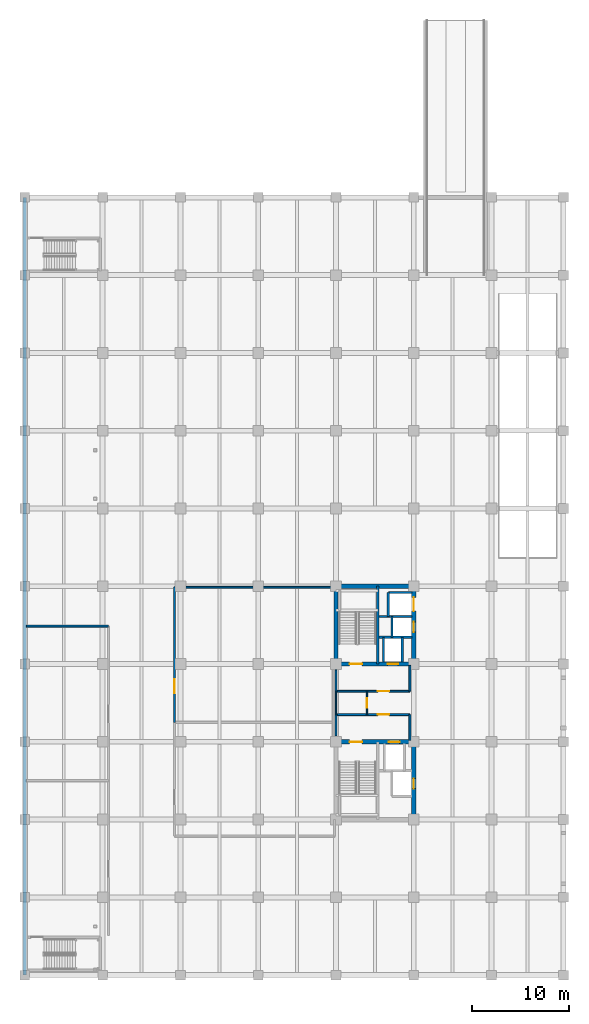
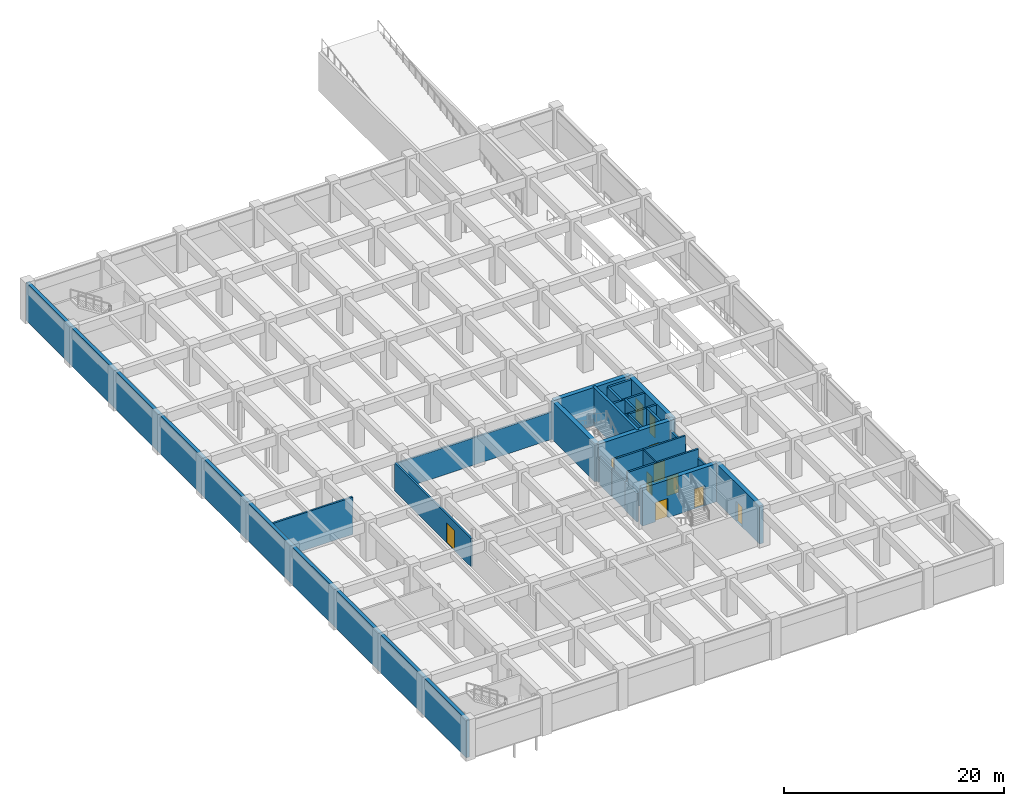
# One storey, part 10 of 16: 26 walls, 11 doors, 11 openings.
"""IFC4 building model written with IfcOpenShell, lengths in metres."""

from ifc_helpers import new_model, si_unit, direction, frame, frame_2d, origin, place, context, subcontext, project, spatial, rectangle, extrude, material, layer, layer_set, type_object, element, fill, save


model = new_model("IFC4")

# Units and contexts
model_context = context("Model", 3, precision=1e-05, world=origin(), true_north=direction((0.0, 1.0)))
body_context = subcontext(model_context, "Body", "Model", "MODEL_VIEW")
ifc_project = project(units=[si_unit("LENGTHUNIT", "METRE"), si_unit("AREAUNIT", "SQUARE_METRE"), si_unit("VOLUMEUNIT", "CUBIC_METRE"), si_unit("PLANEANGLEUNIT", "RADIAN"), si_unit("MASSUNIT", "GRAM", prefix="KILO")], contexts=[model_context])

# Site, building, storey
site_placement = place(None, origin())
site = spatial("IfcSite", under=ifc_project, at=site_placement, CompositionType="ELEMENT")
building_placement = place(site_placement, origin())
building = spatial("IfcBuilding", under=site, at=building_placement, Name="Canggui Botanical Conservatory", CompositionType="ELEMENT")
storey_placement = place(building_placement, frame((0.0, 0.0, -4.5)))
storey = spatial("IfcBuildingStorey", under=building, at=storey_placement, Name="B1", CompositionType="ELEMENT", Elevation=-4.5)

# Wall, opening, door
ifc_material_1 = material(Name="Concrete C35", Category="concrete")
ifc_layer_1 = layer(ifc_material_1, 0.195068359375, Name="Concrete C35", Category="concrete")
ifc_layer_set_1 = layer_set([ifc_layer_1], Name="Concrete C35")
wall_type_1 = type_object("IfcWallType", Name="IW-LOBBY-195", PredefinedType="STANDARD", material=ifc_layer_set_1)
wall_1_placement = place(storey_placement, frame((154.14990234375, 52.800048828125, 0.0), z_axis=(0.0, 0.0, 1.0), x_axis=(1.0, 0.0, 0.0)))
wall_1 = element("IfcWall", 1, at=wall_1_placement, inside=storey, type_object=wall_type_1, Name="B1 South Firefighting Lobby Wall", PredefinedType="STANDARD", context=body_context, shape_type="SweptSolid", body=[
    extrude(rectangle(XDim=7.4501953125, YDim=0.195068359375, at=frame_2d((3.72509765625, 0.0))), origin(), (0.0, 0.0, 1.0), 4.135009765625),
])
opening_1_placement = place(wall_1_placement, frame((4.14990234375, 0.0, 0.0)))
opening_1 = element("IfcOpeningElement", 2, at=opening_1_placement, cuts=wall_1, Name="Opening FD-07", PredefinedType="OPENING", context=body_context, shape_type="SweptSolid", body=[
    extrude(rectangle(XDim=1.199951171875, YDim=2.10009765625, at=frame_2d((0.60009765625, 1.050048828125))), frame((0.0, 0.107421875, 0.0), z_axis=(0.0, -1.0, 0.0), x_axis=(1.0, 0.0, 0.0)), (0.0, 0.0, 1.0), 0.215087890625),
])
ifc_material_2 = material(Name="Powder-Coated Steel", Category="steel")
door_type_1 = type_object("IfcDoorType", Name="FD-07", OperationType="NOTDEFINED", PredefinedType="DOOR", material=ifc_material_2)
door_1_placement = place(opening_1_placement, origin())
door_1 = element("IfcDoor", 3, at=door_1_placement, inside=storey, type_object=door_type_1, Name="Interior Door IW-B1-FFL1-N", OperationType="SINGLE_SWING_RIGHT", OverallHeight=2.10009765625, OverallWidth=1.199951171875, PredefinedType="DOOR", context=body_context, shape_type="SweptSolid", body=[
    extrude(rectangle(XDim=1.199951171875, YDim=2.10009765625, at=frame_2d((0.60009765625, 1.050048828125))), frame((0.0, 0.02490234375, 0.0), z_axis=(0.0, -1.0, 0.0), x_axis=(1.0, 0.0, 0.0)), (0.0, 0.0, 1.0), 0.050048828125),
])
fill(opening_1, door_1)

# Walls
wall_2_placement = place(storey_placement, frame((161.60009765625, 50.14990234375, 0.0), z_axis=(0.0, 0.0, 1.0), x_axis=(0.0, 1.0, 0.0)))
element("IfcWall", 4, at=wall_2_placement, inside=storey, type_object=wall_type_1, Name="B1 South Firefighting Lobby East Wall", PredefinedType="STANDARD", context=body_context, shape_type="SweptSolid", body=[
    extrude(rectangle(XDim=2.650146484375, YDim=0.195068359375, at=frame_2d((1.3251953125, 0.0))), origin(), (0.0, 0.0, 1.0), 3.1298828125),
])
wall_3_placement = place(storey_placement, frame((154.0, 50.60009765625, 0.0), z_axis=(0.0, 0.0, 1.0), x_axis=(0.0, 1.0, 0.0)))
element("IfcWall", 5, at=wall_3_placement, inside=storey, type_object=wall_type_1, Name="B1 South Firefighting Lobby West Wall", PredefinedType="STANDARD", context=body_context, shape_type="SweptSolid", body=[
    extrude(rectangle(XDim=2.199951171875, YDim=0.195068359375, at=frame_2d((1.10009765625, 0.0))), origin(), (0.0, 0.0, 1.0), 3.1298828125),
])

# Wall, opening, door
wall_4_placement = place(storey_placement, frame((154.14990234375, 55.199951171875, 0.0), z_axis=(0.0, 0.0, 1.0), x_axis=(1.0, 0.0, 0.0)))
wall_4 = element("IfcWall", 6, at=wall_4_placement, inside=storey, type_object=wall_type_1, Name="B1 North Firefighting Lobby Wall", PredefinedType="STANDARD", context=body_context, shape_type="SweptSolid", body=[
    extrude(rectangle(XDim=7.4501953125, YDim=0.195068359375, at=frame_2d((3.72509765625, 0.0))), origin(), (0.0, 0.0, 1.0), 4.135009765625),
])
opening_2_placement = place(wall_4_placement, frame((4.14990234375, 0.0, 0.0)))
opening_2 = element("IfcOpeningElement", 7, at=opening_2_placement, cuts=wall_4, Name="Opening FD-07", PredefinedType="OPENING", context=body_context, shape_type="SweptSolid", body=[
    extrude(rectangle(XDim=1.199951171875, YDim=2.10009765625, at=frame_2d((0.60009765625, 1.050048828125))), frame((0.0, 0.107421875, 0.0), z_axis=(0.0, -1.0, 0.0), x_axis=(1.0, 0.0, 0.0)), (0.0, 0.0, 1.0), 0.215087890625),
])
door_2_placement = place(opening_2_placement, origin())
door_2 = element("IfcDoor", 8, at=door_2_placement, inside=storey, type_object=door_type_1, Name="Interior Door IW-B1-FFL2-S", OperationType="SINGLE_SWING_LEFT", OverallHeight=2.10009765625, OverallWidth=1.199951171875, PredefinedType="DOOR", context=body_context, shape_type="SweptSolid", body=[
    extrude(rectangle(XDim=1.199951171875, YDim=2.10009765625, at=frame_2d((0.60009765625, 1.050048828125))), frame((0.0, 0.02490234375, 0.0), z_axis=(0.0, -1.0, 0.0), x_axis=(1.0, 0.0, 0.0)), (0.0, 0.0, 1.0), 0.050048828125),
])
fill(opening_2, door_2)

# Walls
wall_5_placement = place(storey_placement, frame((161.60009765625, 55.199951171875, 0.0), z_axis=(0.0, 0.0, 1.0), x_axis=(0.0, 1.0, 0.0)))
element("IfcWall", 9, at=wall_5_placement, inside=storey, type_object=wall_type_1, Name="B1 North Firefighting Lobby East Wall", PredefinedType="STANDARD", context=body_context, shape_type="SweptSolid", body=[
    extrude(rectangle(XDim=2.650146484375, YDim=0.195068359375, at=frame_2d((1.3251953125, 0.0))), origin(), (0.0, 0.0, 1.0), 3.1298828125),
])
wall_6_placement = place(storey_placement, frame((154.0, 55.199951171875, 0.0), z_axis=(0.0, 0.0, 1.0), x_axis=(0.0, 1.0, 0.0)))
element("IfcWall", 10, at=wall_6_placement, inside=storey, type_object=wall_type_1, Name="B1 North Firefighting Lobby West Wall", PredefinedType="STANDARD", context=body_context, shape_type="SweptSolid", body=[
    extrude(rectangle(XDim=2.199951171875, YDim=0.195068359375, at=frame_2d((1.10009765625, 0.0))), origin(), (0.0, 0.0, 1.0), 3.1298828125),
])
wall_7_placement = place(storey_placement, frame((122.14990234375, 61.89990234375, 0.0), z_axis=(0.0, 0.0, 1.0), x_axis=(1.0, 0.0, 0.0)))
element("IfcWall", 11, at=wall_7_placement, inside=storey, type_object=wall_type_1, Name="B1 Plant Room North Wall", PredefinedType="STANDARD", context=body_context, shape_type="SweptSolid", body=[
    extrude(rectangle(XDim=8.4501953125, YDim=0.195068359375, at=frame_2d((4.22509765625, 0.0))), origin(), (0.0, 0.0, 1.0), 4.135009765625),
])

# Wall, opening, door
wall_8_placement = place(storey_placement, frame((137.39990234375, 52.0, 0.0), z_axis=(0.0, 0.0, 1.0), x_axis=(0.0, 1.0, 0.0)))
wall_8 = element("IfcWall", 12, at=wall_8_placement, inside=storey, type_object=wall_type_1, Name="B1 Vault Enclosure 2", PredefinedType="STANDARD", context=body_context, shape_type="SweptSolid", body=[
    extrude(rectangle(XDim=13.89990234375, YDim=0.195068359375, at=frame_2d((6.949951171875, 0.0))), origin(), (0.0, 0.0, 1.0), 3.1298828125),
])
opening_3_placement = place(wall_8_placement, frame((3.0, 0.0, 0.0)))
opening_3 = element("IfcOpeningElement", 13, at=opening_3_placement, cuts=wall_8, Name="Opening FD-12", PredefinedType="OPENING", context=body_context, shape_type="SweptSolid", body=[
    extrude(rectangle(XDim=1.449951171875, YDim=2.199951171875, at=frame_2d((0.72509765625, 1.10009765625))), frame((0.0, 0.107421875, 0.0), z_axis=(0.0, -1.0, 0.0), x_axis=(1.0, 0.0, 0.0)), (0.0, 0.0, 1.0), 0.215087890625),
])
door_type_2 = type_object("IfcDoorType", Name="FD-12", OperationType="NOTDEFINED", PredefinedType="DOOR", material=ifc_material_2)
door_3_placement = place(opening_3_placement, origin())
door_3 = element("IfcDoor", 14, at=door_3_placement, inside=storey, type_object=door_type_2, Name="Interior Door IW-B1-VLT2", OperationType="SINGLE_SWING_RIGHT", OverallHeight=2.199951171875, OverallWidth=1.449951171875, PredefinedType="DOOR", context=body_context, shape_type="SweptSolid", body=[
    extrude(rectangle(XDim=1.449951171875, YDim=2.199951171875, at=frame_2d((0.72509765625, 1.10009765625))), frame((0.0, 0.02490234375, 0.0), z_axis=(0.0, -1.0, 0.0), x_axis=(1.0, 0.0, 0.0)), (0.0, 0.0, 1.0), 0.050048828125),
])
fill(opening_3, door_3)

# Walls
wall_9_placement = place(storey_placement, frame((137.39990234375, 65.89990234375, 0.0), z_axis=(0.0, 0.0, 1.0), x_axis=(1.0, 0.0, 0.0)))
element("IfcWall", 15, at=wall_9_placement, inside=storey, type_object=wall_type_1, Name="B1 Vault North Wall", PredefinedType="STANDARD", context=body_context, shape_type="SweptSolid", body=[
    extrude(rectangle(XDim=16.4501953125, YDim=0.195068359375, at=frame_2d((8.22509765625, 0.0))), origin(), (0.0, 0.0, 1.0), 3.030029296875),
])
ifc_layer_2 = layer(ifc_material_1, 0.215087890625, Name="Concrete C35", Category="concrete")
ifc_layer_set_2 = layer_set([ifc_layer_2], Name="Concrete C35")
wall_type_2 = type_object("IfcWallType", Name="IW-SHAFT-215", PredefinedType="STANDARD", material=ifc_layer_set_2)
wall_10_placement = place(storey_placement, frame((158.449951171875, 62.89990234375, 0.0), z_axis=(0.0, 0.0, 1.0), x_axis=(1.0, 0.0, 0.0)))
element("IfcWall", 16, at=wall_10_placement, inside=storey, type_object=wall_type_2, Name="Core T2 Goods Lift Shaft Divider B1", PredefinedType="STANDARD", context=body_context, shape_type="SweptSolid", body=[
    extrude(rectangle(XDim=3.35009765625, YDim=0.215087890625, at=frame_2d((1.675048828125, 0.0))), origin(), (0.0, 0.0, 1.0), 4.135009765625),
])
wall_11_placement = place(storey_placement, frame((160.820068359375, 58.199951171875, 0.0), z_axis=(0.0, 0.0, 1.0), x_axis=(0.0, 1.0, 0.0)))
element("IfcWall", 17, at=wall_11_placement, inside=storey, type_object=wall_type_2, Name="Core T2 Lift Bank Web B1", PredefinedType="STANDARD", context=body_context, shape_type="SweptSolid", body=[
    extrude(rectangle(XDim=2.550048828125, YDim=0.215087890625, at=frame_2d((1.27490234375, 0.0))), origin(), (0.0, 0.0, 1.0), 4.135009765625),
])
wall_12_placement = place(storey_placement, frame((159.3798828125, 62.89990234375, 0.0), z_axis=(0.0, 0.0, 1.0), x_axis=(0.0, 1.0, 0.0)))
element("IfcWall", 18, at=wall_12_placement, inside=storey, type_object=wall_type_2, Name="Core T2 GL-01 West Shaft Wall B1", PredefinedType="STANDARD", context=body_context, shape_type="SweptSolid", body=[
    extrude(rectangle(XDim=2.4501953125, YDim=0.215087890625, at=frame_2d((1.22509765625, 0.0))), origin(), (0.0, 0.0, 1.0), 4.135009765625),
])
wall_13_placement = place(storey_placement, frame((159.3798828125, 65.35009765625, 0.0), z_axis=(0.0, 0.0, 1.0), x_axis=(1.0, 0.0, 0.0)))
element("IfcWall", 19, at=wall_13_placement, inside=storey, type_object=wall_type_2, Name="Core T2 GL-01 North Shaft Wall B1", PredefinedType="STANDARD", context=body_context, shape_type="SweptSolid", body=[
    extrude(rectangle(XDim=2.420166015625, YDim=0.215087890625, at=frame_2d((1.2099609375, 0.0))), origin(), (0.0, 0.0, 1.0), 4.135009765625),
])
wall_14_placement = place(storey_placement, frame((158.449951171875, 60.75, 0.0), z_axis=(0.0, 0.0, 1.0), x_axis=(1.0, 0.0, 0.0)))
element("IfcWall", 20, at=wall_14_placement, inside=storey, type_object=wall_type_2, Name="Core T2 PL-02 South Shaft Wall B1", PredefinedType="STANDARD", context=body_context, shape_type="SweptSolid", body=[
    extrude(rectangle(XDim=3.35009765625, YDim=0.215087890625, at=frame_2d((1.675048828125, 0.0))), origin(), (0.0, 0.0, 1.0), 4.135009765625),
])
wall_15_placement = place(storey_placement, frame((159.780029296875, 60.75, 0.0), z_axis=(0.0, 0.0, 1.0), x_axis=(0.0, 1.0, 0.0)))
element("IfcWall", 21, at=wall_15_placement, inside=storey, type_object=wall_type_2, Name="Core T2 PL-02 West Shaft Wall B1", PredefinedType="STANDARD", context=body_context, shape_type="SweptSolid", body=[
    extrude(rectangle(XDim=2.14990234375, YDim=0.215087890625, at=frame_2d((1.074951171875, 0.0))), origin(), (0.0, 0.0, 1.0), 4.135009765625),
])
wall_16_placement = place(storey_placement, frame((158.8798828125, 58.199951171875, 0.0), z_axis=(0.0, 0.0, 1.0), x_axis=(0.0, 1.0, 0.0)))
element("IfcWall", 22, at=wall_16_placement, inside=storey, type_object=wall_type_2, Name="Core T2 FL-02 West Shaft Wall B1", PredefinedType="STANDARD", context=body_context, shape_type="SweptSolid", body=[
    extrude(rectangle(XDim=2.550048828125, YDim=0.215087890625, at=frame_2d((1.27490234375, 0.0))), origin(), (0.0, 0.0, 1.0), 4.135009765625),
])
ifc_material_3 = material(Name="Gypsum Plasterboard Partition")
ifc_layer_3 = layer(ifc_material_3, 0.125, Name="Gypsum Plasterboard Partition")
ifc_layer_set_3 = layer_set([ifc_layer_3], Name="Gypsum Plasterboard Partition")
wall_type_3 = type_object("IfcWallType", Name="IW-WC-125", PredefinedType="STANDARD", material=ifc_layer_set_3)
wall_17_placement = place(storey_placement, frame((154.0, 52.800048828125, 0.0), z_axis=(0.0, 0.0, 1.0), x_axis=(0.0, 1.0, 0.0)))
element("IfcWall", 23, at=wall_17_placement, inside=storey, type_object=wall_type_3, Name="B1 Accessible WC West Wall", PredefinedType="STANDARD", context=body_context, shape_type="SweptSolid", body=[
    extrude(rectangle(XDim=2.39990234375, YDim=0.125, at=frame_2d((1.199951171875, 0.0))), origin(), (0.0, 0.0, 1.0), 3.1298828125),
])

# Wall, opening, door
wall_18_placement = place(storey_placement, frame((157.199951171875, 52.800048828125, 0.0), z_axis=(0.0, 0.0, 1.0), x_axis=(0.0, 1.0, 0.0)))
wall_18 = element("IfcWall", 24, at=wall_18_placement, inside=storey, type_object=wall_type_3, Name="B1 Accessible WC Wall", PredefinedType="STANDARD", context=body_context, shape_type="SweptSolid", body=[
    extrude(rectangle(XDim=2.39990234375, YDim=0.125, at=frame_2d((1.199951171875, 0.0))), origin(), (0.0, 0.0, 1.0), 4.135009765625),
])
opening_4_placement = place(wall_18_placement, frame((0.719970703125, 0.0, 0.0)))
opening_4 = element("IfcOpeningElement", 25, at=opening_4_placement, cuts=wall_18, Name="Opening ID-03", PredefinedType="OPENING", context=body_context, shape_type="SweptSolid", body=[
    extrude(rectangle(XDim=0.9599609375, YDim=2.080078125, at=frame_2d((0.47998046875, 1.0400390625))), frame((0.0, 0.072509765625, 0.0), z_axis=(0.0, -1.0, 0.0), x_axis=(1.0, 0.0, 0.0)), (0.0, 0.0, 1.0), 0.14501953125),
])
ifc_material_4 = material(Name="Engineered Timber Veneer", Category="wood")
door_type_3 = type_object("IfcDoorType", Name="ID-03", OperationType="NOTDEFINED", PredefinedType="DOOR", material=ifc_material_4)
door_4_placement = place(opening_4_placement, origin())
door_4 = element("IfcDoor", 26, at=door_4_placement, inside=storey, type_object=door_type_3, Name="Interior Door IW-B1-AWC-E", OperationType="SINGLE_SWING_RIGHT", OverallHeight=2.080078125, OverallWidth=0.9599609375, PredefinedType="DOOR", context=body_context, shape_type="SweptSolid", body=[
    extrude(rectangle(XDim=0.9599609375, YDim=2.080078125, at=frame_2d((0.47998046875, 1.0400390625))), frame((0.0, 0.02490234375, 0.0), z_axis=(0.0, -1.0, 0.0), x_axis=(1.0, 0.0, 0.0)), (0.0, 0.0, 1.0), 0.050048828125),
])
fill(opening_4, door_4)

# Walls
ifc_material_5 = material(Name="Concrete C40", Category="concrete")
ifc_layer_4 = layer(ifc_material_5, 0.35009765625, Name="Concrete C40", Category="concrete")
ifc_layer_set_4 = layer_set([ifc_layer_4], Name="Concrete C40")
wall_type_4 = type_object("IfcWallType", Name="WALL-RET-350", PredefinedType="SOLIDWALL", material=ifc_layer_set_4)
wall_19_placement = place(storey_placement, frame((122.0, 106.0, 0.0), z_axis=(0.0, 0.0, 1.0), x_axis=(0.0, -1.0, 0.0)))
element("IfcWall", 27, at=wall_19_placement, inside=storey, type_object=wall_type_4, Name="Basement Waterproof Retaining Wall B1-04", PredefinedType="SOLIDWALL", context=body_context, shape_type="SweptSolid", body=[
    extrude(rectangle(XDim=80.0, YDim=0.35009765625, at=frame_2d((40.0, 0.0))), origin(), (0.0, 0.0, 1.0), 4.219970703125),
])
ifc_layer_5 = layer(ifc_material_1, 0.280029296875, Name="Concrete C35", Category="concrete")
ifc_layer_set_5 = layer_set([ifc_layer_5], Name="Concrete C35")
wall_type_5 = type_object("IfcWallType", Name="WALL-SH-280-C35", PredefinedType="SHEAR", material=ifc_layer_set_5)
wall_20_placement = place(storey_placement, frame((158.300048828125, 58.0, 0.0), z_axis=(0.0, 0.0, 1.0), x_axis=(0.0, 1.0, 0.0)))
element("IfcWall", 28, at=wall_20_placement, inside=storey, type_object=wall_type_5, Name="Core T2 Internal Shear Web B1", PredefinedType="SHEAR", context=body_context, shape_type="SweptSolid", body=[
    extrude(rectangle(XDim=8.0, YDim=0.280029296875, at=frame_2d((4.0, 0.0))), origin(), (0.0, 0.0, 1.0), 4.219970703125),
])

# Wall, opening, door
ifc_material_6 = material(Name="Concrete C50", Category="concrete")
ifc_layer_6 = layer(ifc_material_6, 0.449951171875, Name="Concrete C50", Category="concrete")
ifc_layer_set_6 = layer_set([ifc_layer_6], Name="Concrete C50")
wall_type_6 = type_object("IfcWallType", Name="WALL-SH-450-C50", PredefinedType="SHEAR", material=ifc_layer_set_6)
wall_21_placement = place(storey_placement, frame((162.0, 42.0, 0.0), z_axis=(0.0, 0.0, 1.0), x_axis=(0.0, 1.0, 0.0)))
wall_21 = element("IfcWall", 29, at=wall_21_placement, inside=storey, type_object=wall_type_6, Name="Core T1 Shear Wall B1-E", PredefinedType="SHEAR", context=body_context, shape_type="SweptSolid", body=[
    extrude(rectangle(XDim=8.0, YDim=0.449951171875, at=frame_2d((4.0, 0.0))), origin(), (0.0, 0.0, 1.0), 4.219970703125),
])
opening_5_placement = place(wall_21_placement, frame((3.175048828125, 0.0, 0.0)))
opening_5 = element("IfcOpeningElement", 30, at=opening_5_placement, cuts=wall_21, Name="Opening LD-02", PredefinedType="OPENING", context=body_context, shape_type="SweptSolid", body=[
    extrude(rectangle(XDim=1.050048828125, YDim=2.199951171875, at=frame_2d((0.52490234375, 1.10009765625))), frame((0.0, 0.23486328125, 0.0), z_axis=(0.0, -1.0, 0.0), x_axis=(1.0, 0.0, 0.0)), (0.0, 0.0, 1.0), 0.469970703125),
])
ifc_material_7 = material(Name="Stainless Steel 304", Category="steel")
door_type_4 = type_object("IfcDoorType", Name="LDR-02", OperationType="NOTDEFINED", PredefinedType="DOOR", material=ifc_material_7)
door_5_placement = place(opening_5_placement, origin())
door_5 = element("IfcDoor", 31, at=door_5_placement, inside=storey, type_object=door_type_4, Name="Passenger Lift PL-01 Landing Door B1", OperationType="SLIDING_TO_LEFT", OverallHeight=2.199951171875, OverallWidth=1.050048828125, PredefinedType="DOOR", context=body_context, shape_type="SweptSolid", body=[
    extrude(rectangle(XDim=1.050048828125, YDim=2.199951171875, at=frame_2d((0.52490234375, 1.10009765625))), frame((0.0, 0.02490234375, 0.0), z_axis=(0.0, -1.0, 0.0), x_axis=(1.0, 0.0, 0.0)), (0.0, 0.0, 1.0), 0.050048828125),
])
fill(opening_5, door_5)

# Wall, openings, doors
wall_22_placement = place(storey_placement, frame((162.0, 50.0, 0.0), z_axis=(0.0, 0.0, 1.0), x_axis=(-1.0, 0.0, 0.0)))
wall_22 = element("IfcWall", 32, at=wall_22_placement, inside=storey, type_object=wall_type_6, Name="Core T1 Shear Wall B1-N", PredefinedType="SHEAR", context=body_context, shape_type="SweptSolid", body=[
    extrude(rectangle(XDim=8.0, YDim=0.449951171875, at=frame_2d((4.0, 0.0))), origin(), (0.0, 0.0, 1.0), 4.219970703125),
])
opening_6_placement = place(wall_22_placement, frame((5.300048828125, 0.0, 0.0)))
opening_6 = element("IfcOpeningElement", 33, at=opening_6_placement, cuts=wall_22, Name="Opening FD-09", PredefinedType="OPENING", context=body_context, shape_type="SweptSolid", body=[
    extrude(rectangle(XDim=1.300048828125, YDim=2.14990234375, at=frame_2d((0.64990234375, 1.074951171875))), frame((0.0, 0.23486328125, 0.0), z_axis=(0.0, -1.0, 0.0), x_axis=(1.0, 0.0, 0.0)), (0.0, 0.0, 1.0), 0.469970703125),
])
opening_7_placement = place(wall_22_placement, frame((1.449951171875, 0.0, 0.0)))
opening_7 = element("IfcOpeningElement", 34, at=opening_7_placement, cuts=wall_22, Name="Opening LD-01", PredefinedType="OPENING", context=body_context, shape_type="SweptSolid", body=[
    extrude(rectangle(XDim=1.10009765625, YDim=2.199951171875, at=frame_2d((0.550048828125, 1.10009765625))), frame((0.0, 0.23486328125, 0.0), z_axis=(0.0, -1.0, 0.0), x_axis=(1.0, 0.0, 0.0)), (0.0, 0.0, 1.0), 0.469970703125),
])
door_type_5 = type_object("IfcDoorType", Name="FD-09", OperationType="NOTDEFINED", PredefinedType="DOOR", material=ifc_material_2)
door_6_placement = place(opening_6_placement, origin())
door_6 = element("IfcDoor", 35, at=door_6_placement, inside=storey, type_object=door_type_5, Name="Tower South Smoke-Proof Stair Door B1", OperationType="SINGLE_SWING_LEFT", OverallHeight=2.14990234375, OverallWidth=1.300048828125, PredefinedType="DOOR", context=body_context, shape_type="SweptSolid", body=[
    extrude(rectangle(XDim=1.300048828125, YDim=2.14990234375, at=frame_2d((0.64990234375, 1.074951171875))), frame((0.0, 0.02490234375, 0.0), z_axis=(0.0, -1.0, 0.0), x_axis=(1.0, 0.0, 0.0)), (0.0, 0.0, 1.0), 0.050048828125),
])
fill(opening_6, door_6)
door_type_6 = type_object("IfcDoorType", Name="LDR-01", OperationType="NOTDEFINED", PredefinedType="DOOR", material=ifc_material_7)
door_7_placement = place(opening_7_placement, origin())
door_7 = element("IfcDoor", 36, at=door_7_placement, inside=storey, type_object=door_type_6, Name="Firefighting Lift FL-01 Landing Door B1", OperationType="SLIDING_TO_LEFT", OverallHeight=2.199951171875, OverallWidth=1.10009765625, PredefinedType="DOOR", context=body_context, shape_type="SweptSolid", body=[
    extrude(rectangle(XDim=1.10009765625, YDim=2.199951171875, at=frame_2d((0.550048828125, 1.10009765625))), frame((0.0, 0.02490234375, 0.0), z_axis=(0.0, -1.0, 0.0), x_axis=(1.0, 0.0, 0.0)), (0.0, 0.0, 1.0), 0.050048828125),
])
fill(opening_7, door_7)

wall_23_placement = place(storey_placement, frame((154.0, 58.0, 0.0), z_axis=(0.0, 0.0, 1.0), x_axis=(1.0, 0.0, 0.0)))
wall_23 = element("IfcWall", 37, at=wall_23_placement, inside=storey, type_object=wall_type_6, Name="Core T2 Shear Wall B1-S", PredefinedType="SHEAR", context=body_context, shape_type="SweptSolid", body=[
    extrude(rectangle(XDim=8.0, YDim=0.449951171875, at=frame_2d((4.0, 0.0))), origin(), (0.0, 0.0, 1.0), 4.219970703125),
])
opening_8_placement = place(wall_23_placement, frame((1.39990234375, 0.0, 0.0)))
opening_8 = element("IfcOpeningElement", 38, at=opening_8_placement, cuts=wall_23, Name="Opening FD-09", PredefinedType="OPENING", context=body_context, shape_type="SweptSolid", body=[
    extrude(rectangle(XDim=1.300048828125, YDim=2.14990234375, at=frame_2d((0.64990234375, 1.074951171875))), frame((0.0, 0.23486328125, 0.0), z_axis=(0.0, -1.0, 0.0), x_axis=(1.0, 0.0, 0.0)), (0.0, 0.0, 1.0), 0.469970703125),
])
opening_9_placement = place(wall_23_placement, frame((5.300048828125, 0.0, 0.0)))
opening_9 = element("IfcOpeningElement", 39, at=opening_9_placement, cuts=wall_23, Name="Opening LD-01", PredefinedType="OPENING", context=body_context, shape_type="SweptSolid", body=[
    extrude(rectangle(XDim=1.10009765625, YDim=2.199951171875, at=frame_2d((0.550048828125, 1.10009765625))), frame((0.0, 0.23486328125, 0.0), z_axis=(0.0, -1.0, 0.0), x_axis=(1.0, 0.0, 0.0)), (0.0, 0.0, 1.0), 0.469970703125),
])
door_8_placement = place(opening_8_placement, origin())
door_8 = element("IfcDoor", 40, at=door_8_placement, inside=storey, type_object=door_type_5, Name="Tower North Smoke-Proof Stair Door B1", OperationType="SINGLE_SWING_RIGHT", OverallHeight=2.14990234375, OverallWidth=1.300048828125, PredefinedType="DOOR", context=body_context, shape_type="SweptSolid", body=[
    extrude(rectangle(XDim=1.300048828125, YDim=2.14990234375, at=frame_2d((0.64990234375, 1.074951171875))), frame((0.0, 0.02490234375, 0.0), z_axis=(0.0, -1.0, 0.0), x_axis=(1.0, 0.0, 0.0)), (0.0, 0.0, 1.0), 0.050048828125),
])
fill(opening_8, door_8)
door_9_placement = place(opening_9_placement, origin())
door_9 = element("IfcDoor", 41, at=door_9_placement, inside=storey, type_object=door_type_6, Name="Firefighting Lift FL-02 Landing Door B1", OperationType="SLIDING_TO_RIGHT", OverallHeight=2.199951171875, OverallWidth=1.10009765625, PredefinedType="DOOR", context=body_context, shape_type="SweptSolid", body=[
    extrude(rectangle(XDim=1.10009765625, YDim=2.199951171875, at=frame_2d((0.550048828125, 1.10009765625))), frame((0.0, 0.02490234375, 0.0), z_axis=(0.0, -1.0, 0.0), x_axis=(1.0, 0.0, 0.0)), (0.0, 0.0, 1.0), 0.050048828125),
])
fill(opening_9, door_9)

wall_24_placement = place(storey_placement, frame((162.0, 58.0, 0.0), z_axis=(0.0, 0.0, 1.0), x_axis=(0.0, 1.0, 0.0)))
wall_24 = element("IfcWall", 42, at=wall_24_placement, inside=storey, type_object=wall_type_6, Name="Core T2 Shear Wall B1-E", PredefinedType="SHEAR", context=body_context, shape_type="SweptSolid", body=[
    extrude(rectangle(XDim=8.0, YDim=0.449951171875, at=frame_2d((4.0, 0.0))), origin(), (0.0, 0.0, 1.0), 4.219970703125),
])
opening_10_placement = place(wall_24_placement, frame((3.27490234375, 0.0, 0.0)))
opening_10 = element("IfcOpeningElement", 43, at=opening_10_placement, cuts=wall_24, Name="Opening LD-02", PredefinedType="OPENING", context=body_context, shape_type="SweptSolid", body=[
    extrude(rectangle(XDim=1.050048828125, YDim=2.199951171875, at=frame_2d((0.52490234375, 1.10009765625))), frame((0.0, 0.23486328125, 0.0), z_axis=(0.0, -1.0, 0.0), x_axis=(1.0, 0.0, 0.0)), (0.0, 0.0, 1.0), 0.469970703125),
])
opening_11_placement = place(wall_24_placement, frame((5.449951171875, 0.0, 0.0)))
opening_11 = element("IfcOpeningElement", 44, at=opening_11_placement, cuts=wall_24, Name="Opening LD-03", PredefinedType="OPENING", context=body_context, shape_type="SweptSolid", body=[
    extrude(rectangle(XDim=1.39990234375, YDim=2.300048828125, at=frame_2d((0.699951171875, 1.14990234375))), frame((0.0, 0.23486328125, 0.0), z_axis=(0.0, -1.0, 0.0), x_axis=(1.0, 0.0, 0.0)), (0.0, 0.0, 1.0), 0.469970703125),
])
door_10_placement = place(opening_10_placement, origin())
door_10 = element("IfcDoor", 45, at=door_10_placement, inside=storey, type_object=door_type_4, Name="Passenger Lift PL-02 Landing Door B1", OperationType="SLIDING_TO_RIGHT", OverallHeight=2.199951171875, OverallWidth=1.050048828125, PredefinedType="DOOR", context=body_context, shape_type="SweptSolid", body=[
    extrude(rectangle(XDim=1.050048828125, YDim=2.199951171875, at=frame_2d((0.52490234375, 1.10009765625))), frame((0.0, 0.02490234375, 0.0), z_axis=(0.0, -1.0, 0.0), x_axis=(1.0, 0.0, 0.0)), (0.0, 0.0, 1.0), 0.050048828125),
])
fill(opening_10, door_10)
door_type_7 = type_object("IfcDoorType", Name="LDR-03", OperationType="NOTDEFINED", PredefinedType="DOOR", material=ifc_material_7)
door_11_placement = place(opening_11_placement, origin())
door_11 = element("IfcDoor", 46, at=door_11_placement, inside=storey, type_object=door_type_7, Name="Herbarium Goods Lift GL-01 Landing Door B1", OperationType="DOUBLE_DOOR_SLIDING", OverallHeight=2.300048828125, OverallWidth=1.39990234375, PredefinedType="DOOR", context=body_context, shape_type="SweptSolid", body=[
    extrude(rectangle(XDim=1.39990234375, YDim=2.300048828125, at=frame_2d((0.699951171875, 1.14990234375))), frame((0.0, 0.02490234375, 0.0), z_axis=(0.0, -1.0, 0.0), x_axis=(1.0, 0.0, 0.0)), (0.0, 0.0, 1.0), 0.050048828125),
])
fill(opening_11, door_11)

# Walls
for number, where, z_axis, x_axis, name in (
    (47, (162.0, 66.0, 0.0), (0.0, 0.0, 1.0), (-1.0, 0.0, 0.0), "Core T2 Shear Wall B1-N"),
    (48, (154.0, 66.0, 0.0), (0.0, 0.0, 1.0), (0.0, -1.0, 0.0), "Core T2 Shear Wall B1-W"),
):
    element("IfcWall", number, at=place(storey_placement, frame(where, z_axis=z_axis, x_axis=x_axis)), inside=storey, type_object=wall_type_6, Name=name, PredefinedType="SHEAR", context=body_context, shape_type="SweptSolid", body=[
        extrude(rectangle(XDim=8.0, YDim=0.449951171875, at=frame_2d((4.0, 0.0))), origin(), (0.0, 0.0, 1.0), 4.219970703125),
    ])

save(model, "model.ifc")
